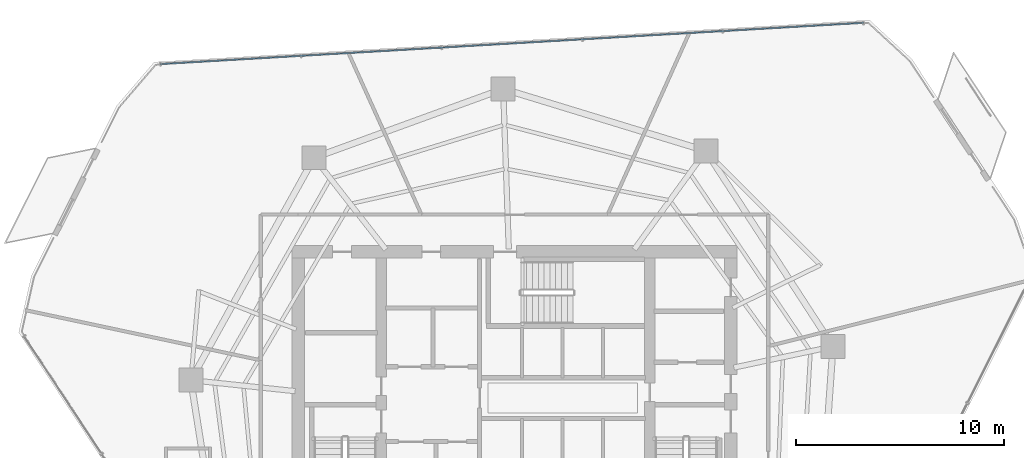
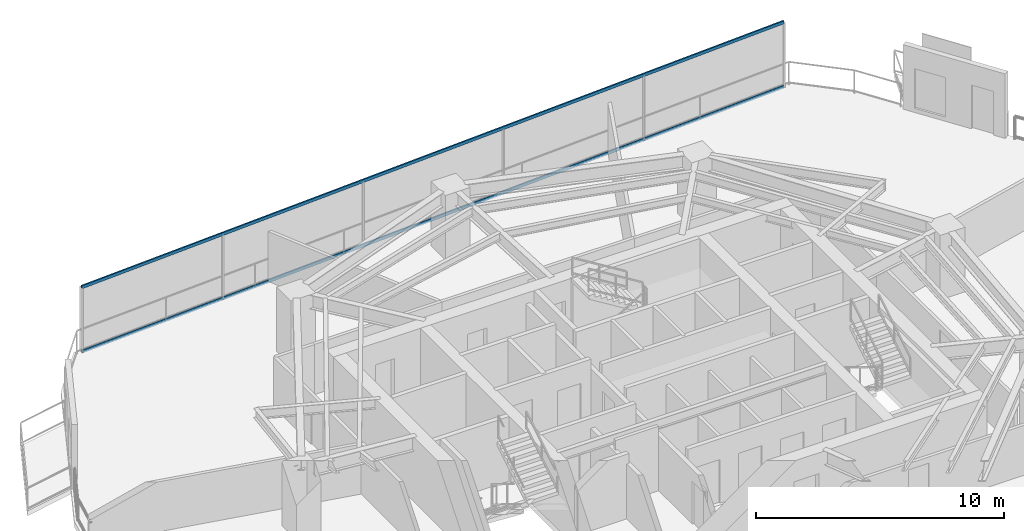
# One storey, part 20 of 30: 2 members, 1 element without a shape of its own.
"""IFC4 building model written with IfcOpenShell, lengths in metres."""

from ifc_helpers import new_model, si_unit, direction, frame, origin, origin_2d, place, context, subcontext, project, spatial, hollow_rectangle, extrude, material, layer, layer_set, material_profile, profile_set, type_object, element, aggregate, save


model = new_model("IFC4")

# Units and contexts
model_context = context("Model", 3, precision=1e-05, world=origin(), true_north=direction((0.0, 1.0)))
body_context = subcontext(model_context, "Body", "Model", "MODEL_VIEW")
ifc_project = project(units=[si_unit("LENGTHUNIT", "METRE"), si_unit("AREAUNIT", "SQUARE_METRE"), si_unit("VOLUMEUNIT", "CUBIC_METRE"), si_unit("PLANEANGLEUNIT", "RADIAN"), si_unit("MASSUNIT", "GRAM", prefix="KILO")], contexts=[model_context])

# Site, building, storey
site_placement = place(None, origin())
site = spatial("IfcSite", under=ifc_project, at=site_placement, CompositionType="ELEMENT")
building_placement = place(site_placement, origin())
building = spatial("IfcBuilding", under=site, at=building_placement, Name="Qarnah Convention Tower", CompositionType="ELEMENT")
storey_placement = place(building_placement, frame((0.0, 0.0, 79.800048828125)))
storey = spatial("IfcBuildingStorey", under=building, at=storey_placement, Name="L20", CompositionType="ELEMENT", Elevation=79.800048828125)

# Curtain wall, members
ifc_material_1 = material(Name="Tempered Low-E dark glass", Category="glass")
ifc_layer = layer(ifc_material_1, 0.169921875)
ifc_layer_set = layer_set([ifc_layer], Name="Tempered Low-E dark glass")
curtain_wall_type = type_object("IfcCurtainWallType", Name="CWS-02", PredefinedType="NOTDEFINED", material=ifc_layer_set)
curtain_wall_placement = place(storey_placement, origin())
curtain_wall = element("IfcCurtainWall", 1, at=curtain_wall_placement, inside=storey, type_object=curtain_wall_type, Name="L20 unitised curtain wall CW-L20-F1", PredefinedType="NOTDEFINED")
ifc_material_2 = material(Name="Black anodised aluminium", Category="aluminium")
ifc_material_profile = material_profile(ifc_material_2, hollow_rectangle(XDim=0.06494140625, YDim=0.14990234375, WallThickness=0.00390625, at=origin_2d()), Name="TRN-65X150")
ifc_profile_set = profile_set([ifc_material_profile], Name="Black anodised aluminium")
member_type = type_object("IfcMemberType", Name="TRN-T2", PredefinedType="USERDEFINED", material=ifc_profile_set)
member_1_placement = place(storey_placement, frame((20.18310546875, 43.23193359375, 0.0), z_axis=(0.998280337446, 0.058620541351, 0.0), x_axis=(-0.058620541351, 0.998280337446, 0.0)))
member_1 = element("IfcMember", 2, at=member_1_placement, type_object=member_type, Name="CW-L20-F1 transom 1", ObjectType="TRANSOM", PredefinedType="USERDEFINED", context=body_context, shape_type="SweptSolid", body=[
    extrude(hollow_rectangle(XDim=0.06494140625, YDim=0.14990234375, WallThickness=0.00390625, at=origin_2d()), origin(), (0.0, 0.0, 1.0), 33.846923828125),
])
member_2_placement = place(storey_placement, frame((20.18310546875, 43.23193359375, 3.169921875), z_axis=(0.998280337446, 0.058620541351, 0.0), x_axis=(-0.058620541351, 0.998280337446, 0.0)))
member_2 = element("IfcMember", 3, at=member_2_placement, type_object=member_type, Name="CW-L20-F1 transom 2", ObjectType="TRANSOM", PredefinedType="USERDEFINED", context=body_context, shape_type="SweptSolid", body=[
    extrude(hollow_rectangle(XDim=0.06494140625, YDim=0.14990234375, WallThickness=0.00390625, at=origin_2d()), origin(), (0.0, 0.0, 1.0), 33.846923828125),
])
aggregate(curtain_wall, [member_1, member_2])

save(model, "model.ifc")
